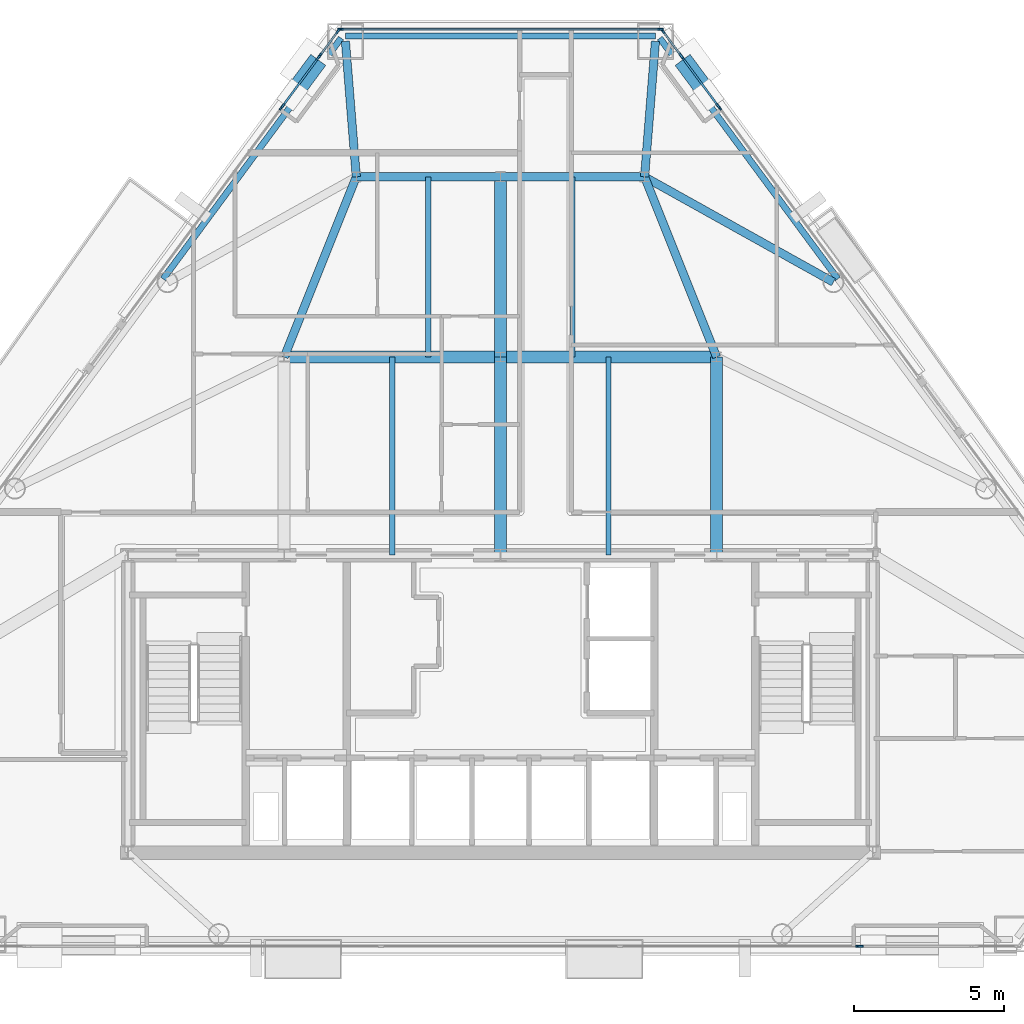
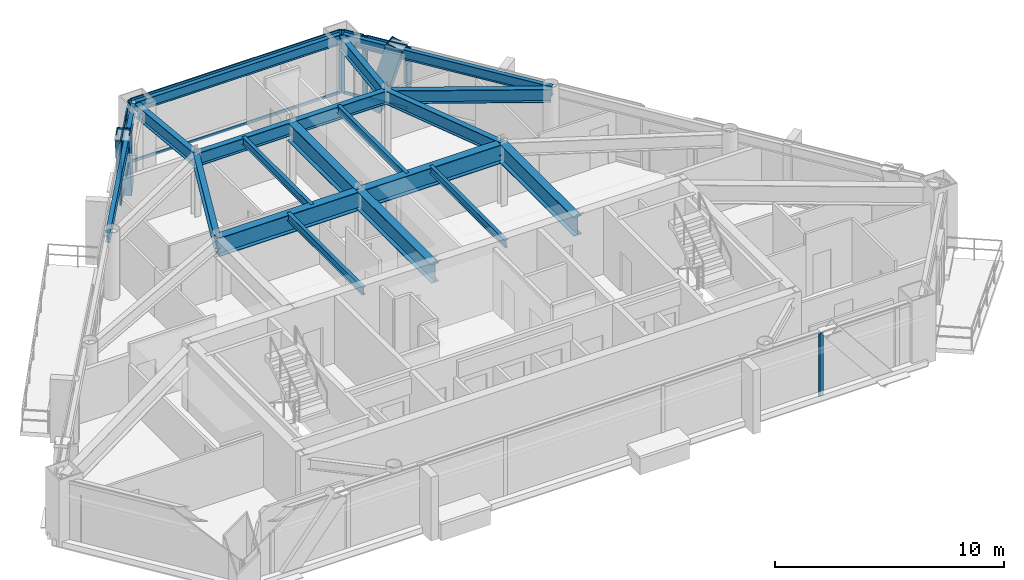
# One storey, part 5 of 13: 26 members, 19 beams, 9 elements without a shape of their own.
"""IFC4 building model written with IfcOpenShell, lengths in metres."""

from ifc_helpers import new_model, si_unit, direction, frame, origin, origin_2d, place, context, subcontext, project, spatial, rectangle, hollow_rectangle, i_section, extrude, material, layer, layer_set, material_profile, profile_set, type_object, element, aggregate, save


model = new_model("IFC4")

# Units and contexts
model_context = context("Model", 3, precision=1e-05, world=origin(), true_north=direction((0.0, 1.0)))
body_context = subcontext(model_context, "Body", "Model", "MODEL_VIEW")
ifc_project = project(units=[si_unit("LENGTHUNIT", "METRE"), si_unit("AREAUNIT", "SQUARE_METRE"), si_unit("VOLUMEUNIT", "CUBIC_METRE"), si_unit("PLANEANGLEUNIT", "RADIAN"), si_unit("MASSUNIT", "GRAM", prefix="KILO")], contexts=[model_context])

# Site, building, storey
site_placement = place(None, origin())
site = spatial("IfcSite", under=ifc_project, at=site_placement, CompositionType="ELEMENT")
building_placement = place(site_placement, origin())
building = spatial("IfcBuilding", under=site, at=building_placement, Name="Talgorran Terracotta Tower", CompositionType="ELEMENT")
storey_placement = place(building_placement, frame((0.0, 0.0, 132.89990234375)))
storey = spatial("IfcBuildingStorey", under=building, at=storey_placement, Name="L34", CompositionType="ELEMENT", Elevation=132.89990234375)

# Beams
ifc_material_1 = material(Name="Steel Grade 350 (350L0)", Category="steel")
ifc_material_profile_1 = material_profile(ifc_material_1, i_section(OverallWidth=0.39990234375, OverallDepth=1.0, WebThickness=0.01611328125, FlangeThickness=0.031005859375, at=origin_2d()), Name="1000WB296")
ifc_profile_set_1 = profile_set([ifc_material_profile_1], Name="Steel Grade 350 (350L0)")
beam_type_1 = type_object("IfcBeamType", Name="BM_1000WB296", PredefinedType="BEAM", material=ifc_profile_set_1)
for number, where, z_axis, x_axis, name in (
    (1, (0.0, -4.199951171875, 2.85009765625), (0.0, 1.0, 0.0), (-1.0, 0.0, 0.0), "L34 Floor Girder G02"),
    (2, (7.199951171875, -4.199951171875, 2.85009765625), (0.0, 1.0, 0.0), (-1.0, 0.0, 0.0), "L34 Floor Girder G03"),
):
    element("IfcBeam", number, at=place(storey_placement, frame(where, z_axis=z_axis, x_axis=x_axis)), inside=storey, type_object=beam_type_1, Name=name, PredefinedType="BEAM", context=body_context, shape_type="SweptSolid", body=[
        extrude(i_section(OverallWidth=0.39990234375, OverallDepth=1.0, WebThickness=0.01611328125, FlangeThickness=0.031005859375, at=origin_2d()), origin(), (0.0, 0.0, 1.0), 6.599853515625),
    ])
for number, where, z_axis, x_axis, name in (
    (3, (-7.199951171875, 2.39990234375, 2.85009765625), (1.0, 0.0, 0.0), (0.0, 1.0, 0.0), "L34 Floor Girder G04"),
    (4, (0.0, 2.39990234375, 2.85009765625), (1.0, 0.0, 0.0), (0.0, 1.0, 0.0), "L34 Floor Girder G05"),
):
    element("IfcBeam", number, at=place(storey_placement, frame(where, z_axis=z_axis, x_axis=x_axis)), inside=storey, type_object=beam_type_1, Name=name, PredefinedType="BEAM", context=body_context, shape_type="SweptSolid", body=[
        extrude(i_section(OverallWidth=0.39990234375, OverallDepth=1.0, WebThickness=0.01611328125, FlangeThickness=0.031005859375, at=origin_2d()), origin(), (0.0, 0.0, 1.0), 7.199951171875),
    ])
beam_1_placement = place(storey_placement, frame((0.0, 2.39990234375, 2.85009765625), z_axis=(0.0, 1.0, 0.0), x_axis=(-1.0, 0.0, 0.0)))
element("IfcBeam", 5, at=beam_1_placement, inside=storey, type_object=beam_type_1, Name="L34 Floor Girder G09", PredefinedType="BEAM", context=body_context, shape_type="SweptSolid", body=[
    extrude(i_section(OverallWidth=0.39990234375, OverallDepth=1.0, WebThickness=0.01611328125, FlangeThickness=0.031005859375, at=origin_2d()), origin(), (0.0, 0.0, 1.0), 6.0),
])
ifc_material_2 = material(Name="Steel S355 (300PLUS)", Category="steel")
ifc_material_profile_2 = material_profile(ifc_material_2, i_section(OverallWidth=0.27490234375, OverallDepth=0.7080078125, WebThickness=0.011962890625, FlangeThickness=0.02490234375, at=origin_2d()), Name="700WB173")
ifc_profile_set_2 = profile_set([ifc_material_profile_2], Name="Steel S355 (300PLUS)")
beam_type_2 = type_object("IfcBeamType", Name="BM_700WB173", PredefinedType="BEAM", material=ifc_profile_set_2)
for number, where, z_axis, x_axis, name in (
    (6, (-7.199951171875, 2.39990234375, 2.99609375), (0.371377648723, 0.928481901832, 0.0), (-0.928481901832, 0.371377648723, 0.0), "L34 Floor Girder G08"),
    (7, (7.199951171875, 2.39990234375, 2.99609375), (-0.371377648723, 0.928481901832, 0.0), (-0.928481901832, -0.371377648723, 0.0), "L34 Floor Girder G10"),
):
    element("IfcBeam", number, at=place(storey_placement, frame(where, z_axis=z_axis, x_axis=x_axis)), inside=storey, type_object=beam_type_2, Name=name, PredefinedType="BEAM", context=body_context, shape_type="SweptSolid", body=[
        extrude(i_section(OverallWidth=0.27490234375, OverallDepth=0.7080078125, WebThickness=0.011962890625, FlangeThickness=0.02490234375, at=origin_2d()), origin(), (0.0, 0.0, 1.0), 6.462158203125),
    ])
for number, where, z_axis, x_axis, name in (
    (8, (-4.800048828125, 8.39990234375, 2.99609375), (1.0, 0.0, 0.0), (0.0, 1.0, 0.0), "L34 Floor Girder G11"),
    (9, (0.0, 8.39990234375, 2.99609375), (1.0, 0.0, 0.0), (0.0, 1.0, 0.0), "L34 Floor Girder G12"),
):
    element("IfcBeam", number, at=place(storey_placement, frame(where, z_axis=z_axis, x_axis=x_axis)), inside=storey, type_object=beam_type_2, Name=name, PredefinedType="BEAM", context=body_context, shape_type="SweptSolid", body=[
        extrude(i_section(OverallWidth=0.27490234375, OverallDepth=0.7080078125, WebThickness=0.011962890625, FlangeThickness=0.02490234375, at=origin_2d()), origin(), (0.0, 0.0, 1.0), 4.800048828125),
    ])
beam_2_placement = place(storey_placement, frame((4.800048828125, 8.39990234375, 2.99609375), z_axis=(0.873422120385, -0.48696385864, 0.0), x_axis=(0.48696385864, 0.873422120385, 0.0)))
element("IfcBeam", 10, at=beam_2_placement, inside=storey, type_object=beam_type_2, Name="L34 Floor Girder G14", PredefinedType="BEAM", context=body_context, shape_type="SweptSolid", body=[
    extrude(i_section(OverallWidth=0.27490234375, OverallDepth=0.7080078125, WebThickness=0.011962890625, FlangeThickness=0.02490234375, at=origin_2d()), origin(), (0.0, 0.0, 1.0), 7.199951171875),
])
for number, where, z_axis, x_axis, name in (
    (11, (-4.800048828125, 8.39990234375, 2.99609375), (-0.079850226008, 0.996806872672, 0.0), (-0.996806872672, -0.079850226008, 0.0), "L34 Floor Girder G15"),
    (12, (4.800048828125, 8.39990234375, 2.99609375), (0.079850226008, 0.996806872672, 0.0), (-0.996806872672, 0.079850226008, 0.0), "L34 Floor Girder G16"),
):
    element("IfcBeam", number, at=place(storey_placement, frame(where, z_axis=z_axis, x_axis=x_axis)), inside=storey, type_object=beam_type_2, Name=name, PredefinedType="BEAM", context=body_context, shape_type="SweptSolid", body=[
        extrude(i_section(OverallWidth=0.27490234375, OverallDepth=0.7080078125, WebThickness=0.011962890625, FlangeThickness=0.02490234375, at=origin_2d()), origin(), (0.0, 0.0, 1.0), 4.528076171875),
    ])
ifc_material_profile_3 = material_profile(ifc_material_2, i_section(OverallWidth=0.177734375, OverallDepth=0.406494140625, WebThickness=0.0078125, FlangeThickness=0.0126953125, at=origin_2d()), Name="410UB59.7")
ifc_profile_set_3 = profile_set([ifc_material_profile_3], Name="Steel S355 (300PLUS)")
beam_type_3 = type_object("IfcBeamType", Name="BM_JS_410UB60", PredefinedType="JOIST", material=ifc_profile_set_3)
for number, where, z_axis, x_axis, name in (
    (13, (-3.60009765625, -4.199951171875, 3.14697265625), (0.0, 1.0, 0.0), (-1.0, 0.0, 0.0), "L34 Secondary Joist J01"),
    (14, (3.60009765625, -4.199951171875, 3.14697265625), (0.0, 1.0, 0.0), (-1.0, 0.0, 0.0), "L34 Secondary Joist J02"),
):
    element("IfcBeam", number, at=place(storey_placement, frame(where, z_axis=z_axis, x_axis=x_axis)), inside=storey, type_object=beam_type_3, Name=name, PredefinedType="JOIST", context=body_context, shape_type="SweptSolid", body=[
        extrude(i_section(OverallWidth=0.177734375, OverallDepth=0.406494140625, WebThickness=0.0078125, FlangeThickness=0.0126953125, at=origin_2d()), origin(), (0.0, 0.0, 1.0), 6.599853515625),
    ])
for number, where, z_axis, x_axis, name in (
    (15, (-2.39990234375, 2.39990234375, 3.14697265625), (0.0, 1.0, 0.0), (-1.0, 0.0, 0.0), "L34 Secondary Joist J03"),
    (16, (2.39990234375, 2.39990234375, 3.14697265625), (0.0, 1.0, 0.0), (-1.0, 0.0, 0.0), "L34 Secondary Joist J04"),
):
    element("IfcBeam", number, at=place(storey_placement, frame(where, z_axis=z_axis, x_axis=x_axis)), inside=storey, type_object=beam_type_3, Name=name, PredefinedType="JOIST", context=body_context, shape_type="SweptSolid", body=[
        extrude(i_section(OverallWidth=0.177734375, OverallDepth=0.406494140625, WebThickness=0.0078125, FlangeThickness=0.0126953125, at=origin_2d()), origin(), (0.0, 0.0, 1.0), 6.0),
    ])
ifc_material_profile_4 = material_profile(ifc_material_2, i_section(OverallWidth=0.209228515625, OverallDepth=0.532958984375, WebThickness=0.01025390625, FlangeThickness=0.015625, at=origin_2d()), Name="530UB92.4")
ifc_profile_set_4 = profile_set([ifc_material_profile_4], Name="Steel S355 (300PLUS)")
beam_type_4 = type_object("IfcBeamType", Name="BM_SP_530UB92", PredefinedType="SPANDREL", material=ifc_profile_set_4)
beam_3_placement = place(storey_placement, frame((11.2333984375, 5.000732421875, 3.08349609375), z_axis=(-0.594348381438, 0.80420768554, 0.0), x_axis=(-0.80420768554, -0.594348381438, 0.0)))
element("IfcBeam", 17, at=beam_3_placement, inside=storey, type_object=beam_type_4, Name="L34 Perimeter Spandrel Beam FC4-MC5", PredefinedType="SPANDREL", context=body_context, shape_type="SweptSolid", body=[
    extrude(i_section(OverallWidth=0.209228515625, OverallDepth=0.532958984375, WebThickness=0.01025390625, FlangeThickness=0.015625, at=origin_2d()), origin(), (0.0, 0.0, 1.0), 9.97216796875),
])
beam_4_placement = place(storey_placement, frame((5.16162109375, 13.093505859375, 3.08349609375), z_axis=(-1.0, 0.0, 0.0), x_axis=(0.0, -1.0, 0.0)))
element("IfcBeam", 18, at=beam_4_placement, inside=storey, type_object=beam_type_4, Name="L34 Perimeter Spandrel Beam MC5-MC6", PredefinedType="SPANDREL", context=body_context, shape_type="SweptSolid", body=[
    extrude(i_section(OverallWidth=0.209228515625, OverallDepth=0.532958984375, WebThickness=0.01025390625, FlangeThickness=0.015625, at=origin_2d()), origin(), (0.0, 0.0, 1.0), 10.3232421875),
])
beam_5_placement = place(storey_placement, frame((-5.306396484375, 13.0205078125, 3.08349609375), z_axis=(-0.594348381438, -0.80420768554, 0.0), x_axis=(0.80420768554, -0.594348381438, 0.0)))
element("IfcBeam", 19, at=beam_5_placement, inside=storey, type_object=beam_type_4, Name="L34 Perimeter Spandrel Beam MC6-FC5", PredefinedType="SPANDREL", context=body_context, shape_type="SweptSolid", body=[
    extrude(i_section(OverallWidth=0.209228515625, OverallDepth=0.532958984375, WebThickness=0.01025390625, FlangeThickness=0.015625, at=origin_2d()), origin(), (0.0, 0.0, 1.0), 9.97216796875),
])

# Members
ifc_material_profile_5 = material_profile(ifc_material_1, hollow_rectangle(XDim=0.6201171875, YDim=0.780029296875, WallThickness=0.0419921875, at=origin_2d()), Name="WBOX780X620X42")
ifc_profile_set_5 = profile_set([ifc_material_profile_5], Name="Steel Grade 350 (350L0)")
member_type_1 = type_object("IfcMemberType", Name="MB_MEGA_780", PredefinedType="BRACE", material=ifc_profile_set_5)
for number, where, z_axis, x_axis, name in (
    (20, (6.2890625, 11.993408203125, -0.27001953125), (0.167535480433, -0.226658089562, 0.959457124228), (0.804166664466, 0.594403882694, 0.0), "L34 Exterior Face Mega-Brace MB-2 (NEU)"),
    (21, (-6.2890625, 11.993408203125, -0.27001953125), (-0.167535480433, -0.226658089562, 0.959457124228), (0.804166664466, -0.594403882694, 0.0), "L34 Exterior Face Mega-Brace MB-2 (NWU)"),
):
    element("IfcMember", number, at=place(storey_placement, frame(where, z_axis=z_axis, x_axis=x_axis)), inside=storey, type_object=member_type_1, Name=name, PredefinedType="BRACE", context=body_context, shape_type="SweptSolid", body=[
        extrude(hollow_rectangle(XDim=0.6201171875, YDim=0.780029296875, WallThickness=0.0419921875, at=origin_2d()), origin(), (0.0, 0.0, 1.0), 3.799072265625),
    ])

# Curtain wall, member
ifc_material_3 = material(Name="Unitised Low-E Double Glazing", Category="glass")
ifc_layer = layer(ifc_material_3, 0.199951171875, Name="CW_SYS2_RES_LOW")
ifc_layer_set = layer_set([ifc_layer], Name="Unitised Low-E Double Glazing")
curtain_wall_type = type_object("IfcCurtainWallType", Name="CW_SYS2_RES_LOW", PredefinedType="NOTDEFINED", material=ifc_layer_set)
curtain_wall_1_placement = place(storey_placement, origin())
curtain_wall_1 = element("IfcCurtainWall", 22, at=curtain_wall_1_placement, inside=storey, type_object=curtain_wall_type, Name="CW-L34-F1C", PredefinedType="NOTDEFINED")
ifc_material_4 = material(Name="Architectural Aluminium 6063-T6", Category="aluminium")
ifc_material_profile_6 = material_profile(ifc_material_4, rectangle(XDim=0.06494140625, YDim=0.18505859375, at=origin_2d()), Name="CWM65X185")
ifc_profile_set_6 = profile_set([ifc_material_profile_6], Name="Architectural Aluminium 6063-T6")
member_type_2 = type_object("IfcMemberType", Name="MUL_65X185", PredefinedType="MULLION", material=ifc_profile_set_6)
member_1_placement = place(storey_placement, frame((11.920166015625, -17.218994140625, 0.0), z_axis=(0.0, 0.0, 1.0), x_axis=(0.0, 1.0, 0.0)))
member_1 = element("IfcMember", 23, at=member_1_placement, type_object=member_type_2, Name="CW-L34-1C mullion 4", PredefinedType="MULLION", context=body_context, shape_type="SweptSolid", body=[
    extrude(rectangle(XDim=0.06494140625, YDim=0.18505859375, at=origin_2d()), origin(), (0.0, 0.0, 1.0), 3.35009765625),
])
aggregate(curtain_wall_1, [member_1])

curtain_wall_2_placement = place(storey_placement, origin())
curtain_wall_2 = element("IfcCurtainWall", 24, at=curtain_wall_2_placement, inside=storey, type_object=curtain_wall_type, Name="CW-L34-F1D", PredefinedType="NOTDEFINED")
member_2_placement = place(storey_placement, frame((11.9951171875, -17.218994140625, 0.0), z_axis=(0.0, 0.0, 1.0), x_axis=(0.0, 1.0, 0.0)))
member_2 = element("IfcMember", 25, at=member_2_placement, type_object=member_type_2, Name="CW-L34-1D mullion 1", PredefinedType="MULLION", context=body_context, shape_type="SweptSolid", body=[
    extrude(rectangle(XDim=0.06494140625, YDim=0.18505859375, at=origin_2d()), origin(), (0.0, 0.0, 1.0), 3.35009765625),
])
aggregate(curtain_wall_2, [member_2])

curtain_wall_3_placement = place(storey_placement, origin())
curtain_wall_3 = element("IfcCurtainWall", 26, at=curtain_wall_3_placement, inside=storey, type_object=curtain_wall_type, Name="CW-L34-F41", PredefinedType="NOTDEFINED")
member_3_placement = place(storey_placement, frame((7.29150390625, 10.704345703125, 0.0), z_axis=(0.0, 0.0, 1.0), x_axis=(-0.804201194729, -0.594357163999, 0.0)))
member_3 = element("IfcMember", 27, at=member_3_placement, type_object=member_type_2, Name="CW-L34-41 mullion 2", PredefinedType="MULLION", context=body_context, shape_type="SweptSolid", body=[
    extrude(rectangle(XDim=0.06494140625, YDim=0.18505859375, at=origin_2d()), origin(), (0.0, 0.0, 1.0), 3.35009765625),
])
aggregate(curtain_wall_3, [member_3])

# Curtain wall, members
curtain_wall_4_placement = place(storey_placement, origin())
curtain_wall_4 = element("IfcCurtainWall", 28, at=curtain_wall_4_placement, inside=storey, type_object=curtain_wall_type, Name="CW-L34-F41B", PredefinedType="NOTDEFINED")
member_4_placement = place(storey_placement, frame((7.2470703125, 10.7646484375, 0.0), z_axis=(0.0, 0.0, 1.0), x_axis=(-0.804210403397, -0.594344703912, 0.0)))
member_4 = element("IfcMember", 29, at=member_4_placement, type_object=member_type_2, Name="CW-L34-41B mullion 1", PredefinedType="MULLION", context=body_context, shape_type="SweptSolid", body=[
    extrude(rectangle(XDim=0.06494140625, YDim=0.18505859375, at=origin_2d()), origin(), (0.0, 0.0, 1.0), 3.35009765625),
])
member_5_placement = place(storey_placement, frame((6.06005859375, 12.370849609375, 0.0), z_axis=(0.0, 0.0, 1.0), x_axis=(-0.804210403397, -0.594344703912, 0.0)))
member_5 = element("IfcMember", 30, at=member_5_placement, type_object=member_type_2, Name="CW-L34-41B mullion 2", PredefinedType="MULLION", context=body_context, shape_type="SweptSolid", body=[
    extrude(rectangle(XDim=0.06494140625, YDim=0.18505859375, at=origin_2d()), origin(), (0.0, 0.0, 1.0), 3.35009765625),
])

curtain_wall_5_placement = place(storey_placement, origin())
curtain_wall_5 = element("IfcCurtainWall", 31, at=curtain_wall_5_placement, inside=storey, type_object=curtain_wall_type, Name="CW-L34-F41C", PredefinedType="NOTDEFINED")
member_6_placement = place(storey_placement, frame((6.015380859375, 12.43115234375, 0.0), z_axis=(0.0, 0.0, 1.0), x_axis=(-0.804220007043, -0.594331708957, 0.0)))
member_6 = element("IfcMember", 32, at=member_6_placement, type_object=member_type_2, Name="CW-L34-41C mullion 1", PredefinedType="MULLION", context=body_context, shape_type="SweptSolid", body=[
    extrude(rectangle(XDim=0.06494140625, YDim=0.18505859375, at=origin_2d()), origin(), (0.0, 0.0, 1.0), 3.35009765625),
])
member_7_placement = place(storey_placement, frame((5.406494140625, 13.255126953125, 0.0), z_axis=(0.0, 0.0, 1.0), x_axis=(-0.804220007043, -0.594331708957, 0.0)))
member_7 = element("IfcMember", 33, at=member_7_placement, type_object=member_type_2, Name="CW-L34-41C mullion 2", PredefinedType="MULLION", context=body_context, shape_type="SweptSolid", body=[
    extrude(rectangle(XDim=0.06494140625, YDim=0.18505859375, at=origin_2d()), origin(), (0.0, 0.0, 1.0), 3.35009765625),
])

curtain_wall_6_placement = place(storey_placement, origin())
curtain_wall_6 = element("IfcCurtainWall", 34, at=curtain_wall_6_placement, inside=storey, type_object=curtain_wall_type, Name="CW-L34-F4", PredefinedType="NOTDEFINED")
member_8_placement = place(storey_placement, frame((5.330810546875, 13.3134765625, 0.0), z_axis=(0.0, 0.0, 1.0), x_axis=(0.0, -1.0, 0.0)))
member_8 = element("IfcMember", 35, at=member_8_placement, type_object=member_type_2, Name="CW-L34-4 mullion 1", PredefinedType="MULLION", context=body_context, shape_type="SweptSolid", body=[
    extrude(rectangle(XDim=0.06494140625, YDim=0.18505859375, at=origin_2d()), origin(), (0.0, 0.0, 1.0), 3.35009765625),
])
member_9_placement = place(storey_placement, frame((-5.330810546875, 13.3134765625, 0.0), z_axis=(0.0, 0.0, 1.0), x_axis=(0.0, -1.0, 0.0)))
member_9 = element("IfcMember", 36, at=member_9_placement, type_object=member_type_2, Name="CW-L34-4 mullion 2", PredefinedType="MULLION", context=body_context, shape_type="SweptSolid", body=[
    extrude(rectangle(XDim=0.06494140625, YDim=0.18505859375, at=origin_2d()), origin(), (0.0, 0.0, 1.0), 3.35009765625),
])

curtain_wall_7_placement = place(storey_placement, origin())
curtain_wall_7 = element("IfcCurtainWall", 37, at=curtain_wall_7_placement, inside=storey, type_object=curtain_wall_type, Name="CW-L34-F60", PredefinedType="NOTDEFINED")
member_10_placement = place(storey_placement, frame((-5.406494140625, 13.255126953125, 0.0), z_axis=(0.0, 0.0, 1.0), x_axis=(0.804220007043, -0.594331708957, 0.0)))
member_10 = element("IfcMember", 38, at=member_10_placement, type_object=member_type_2, Name="CW-L34-60 mullion 1", PredefinedType="MULLION", context=body_context, shape_type="SweptSolid", body=[
    extrude(rectangle(XDim=0.06494140625, YDim=0.18505859375, at=origin_2d()), origin(), (0.0, 0.0, 1.0), 3.35009765625),
])
member_11_placement = place(storey_placement, frame((-6.015380859375, 12.43115234375, 0.0), z_axis=(0.0, 0.0, 1.0), x_axis=(0.804220007043, -0.594331708957, 0.0)))
member_11 = element("IfcMember", 39, at=member_11_placement, type_object=member_type_2, Name="CW-L34-60 mullion 2", PredefinedType="MULLION", context=body_context, shape_type="SweptSolid", body=[
    extrude(rectangle(XDim=0.06494140625, YDim=0.18505859375, at=origin_2d()), origin(), (0.0, 0.0, 1.0), 3.35009765625),
])

curtain_wall_8_placement = place(storey_placement, origin())
curtain_wall_8 = element("IfcCurtainWall", 40, at=curtain_wall_8_placement, inside=storey, type_object=curtain_wall_type, Name="CW-L34-F60B", PredefinedType="NOTDEFINED")
member_12_placement = place(storey_placement, frame((-6.06005859375, 12.370849609375, 0.0), z_axis=(0.0, 0.0, 1.0), x_axis=(0.804210403397, -0.594344703912, 0.0)))
member_12 = element("IfcMember", 41, at=member_12_placement, type_object=member_type_2, Name="CW-L34-60B mullion 1", PredefinedType="MULLION", context=body_context, shape_type="SweptSolid", body=[
    extrude(rectangle(XDim=0.06494140625, YDim=0.18505859375, at=origin_2d()), origin(), (0.0, 0.0, 1.0), 3.35009765625),
])
member_13_placement = place(storey_placement, frame((-7.2470703125, 10.7646484375, 0.0), z_axis=(0.0, 0.0, 1.0), x_axis=(0.804210403397, -0.594344703912, 0.0)))
member_13 = element("IfcMember", 42, at=member_13_placement, type_object=member_type_2, Name="CW-L34-60B mullion 2", PredefinedType="MULLION", context=body_context, shape_type="SweptSolid", body=[
    extrude(rectangle(XDim=0.06494140625, YDim=0.18505859375, at=origin_2d()), origin(), (0.0, 0.0, 1.0), 3.35009765625),
])

# Curtain wall, member
curtain_wall_9_placement = place(storey_placement, origin())
curtain_wall_9 = element("IfcCurtainWall", 43, at=curtain_wall_9_placement, inside=storey, type_object=curtain_wall_type, Name="CW-L34-F60C", PredefinedType="NOTDEFINED")
member_14_placement = place(storey_placement, frame((-7.29150390625, 10.704345703125, 0.0), z_axis=(0.0, 0.0, 1.0), x_axis=(0.804199416305, -0.594359570307, 0.0)))
member_14 = element("IfcMember", 44, at=member_14_placement, type_object=member_type_2, Name="CW-L34-60C mullion 1", PredefinedType="MULLION", context=body_context, shape_type="SweptSolid", body=[
    extrude(rectangle(XDim=0.06494140625, YDim=0.18505859375, at=origin_2d()), origin(), (0.0, 0.0, 1.0), 3.35009765625),
])
aggregate(curtain_wall_9, [member_14])

# Member
ifc_material_profile_7 = material_profile(ifc_material_4, rectangle(XDim=0.06494140625, YDim=0.14990234375, at=origin_2d()), Name="CWT65X150")
ifc_profile_set_7 = profile_set([ifc_material_profile_7], Name="Architectural Aluminium 6063-T6")
member_type_3 = type_object("IfcMemberType", Name="TRN_65X150", PredefinedType="USERDEFINED", material=ifc_profile_set_7)
member_15_placement = place(storey_placement, frame((7.227783203125, 10.790771484375, 0.03271484375), z_axis=(-0.594344876364, 0.804210275948, 0.0), x_axis=(-0.804210275948, -0.594344876364, 0.0)))
member_15 = element("IfcMember", 45, at=member_15_placement, type_object=member_type_3, Name="CW-L34-41B transom 1.1", ObjectType="TRANSOM", PredefinedType="USERDEFINED", context=body_context, shape_type="SweptSolid", body=[
    extrude(rectangle(XDim=0.06494140625, YDim=0.14990234375, at=origin_2d()), origin(), (0.0, 0.0, 1.0), 1.932373046875),
])

member_16_placement = place(storey_placement, frame((7.227783203125, 10.790771484375, 3.317626953125), z_axis=(-0.594344876364, 0.804210275948, 0.0), x_axis=(-0.804210275948, -0.594344876364, 0.0)))
member_16 = element("IfcMember", 46, at=member_16_placement, type_object=member_type_3, Name="CW-L34-41B transom 1.2", ObjectType="TRANSOM", PredefinedType="USERDEFINED", context=body_context, shape_type="SweptSolid", body=[
    extrude(rectangle(XDim=0.06494140625, YDim=0.14990234375, at=origin_2d()), origin(), (0.0, 0.0, 1.0), 1.932373046875),
])

aggregate(curtain_wall_4, [member_4, member_5, member_15, member_16])

member_17_placement = place(storey_placement, frame((5.99609375, 12.457275390625, 0.03271484375), z_axis=(-0.594326676443, 0.804223726129, 0.0), x_axis=(-0.804223726129, -0.594326676443, 0.0)))
member_17 = element("IfcMember", 47, at=member_17_placement, type_object=member_type_3, Name="CW-L34-41C transom 1.1", ObjectType="TRANSOM", PredefinedType="USERDEFINED", context=body_context, shape_type="SweptSolid", body=[
    extrude(rectangle(XDim=0.06494140625, YDim=0.14990234375, at=origin_2d()), origin(), (0.0, 0.0, 1.0), 0.95947265625),
])

member_18_placement = place(storey_placement, frame((5.99609375, 12.457275390625, 3.317626953125), z_axis=(-0.594326676443, 0.804223726129, 0.0), x_axis=(-0.804223726129, -0.594326676443, 0.0)))
member_18 = element("IfcMember", 48, at=member_18_placement, type_object=member_type_3, Name="CW-L34-41C transom 1.2", ObjectType="TRANSOM", PredefinedType="USERDEFINED", context=body_context, shape_type="SweptSolid", body=[
    extrude(rectangle(XDim=0.06494140625, YDim=0.14990234375, at=origin_2d()), origin(), (0.0, 0.0, 1.0), 0.95947265625),
])

aggregate(curtain_wall_5, [member_6, member_7, member_17, member_18])

member_19_placement = place(storey_placement, frame((5.29833984375, 13.3134765625, 0.03271484375), z_axis=(-1.0, 0.0, 0.0), x_axis=(0.0, -1.0, 0.0)))
member_19 = element("IfcMember", 49, at=member_19_placement, type_object=member_type_3, Name="CW-L34-4 transom 1.1", ObjectType="TRANSOM", PredefinedType="USERDEFINED", context=body_context, shape_type="SweptSolid", body=[
    extrude(rectangle(XDim=0.06494140625, YDim=0.14990234375, at=origin_2d()), origin(), (0.0, 0.0, 1.0), 10.5966796875),
])

member_20_placement = place(storey_placement, frame((5.29833984375, 13.3134765625, 3.317626953125), z_axis=(-1.0, 0.0, 0.0), x_axis=(0.0, -1.0, 0.0)))
member_20 = element("IfcMember", 50, at=member_20_placement, type_object=member_type_3, Name="CW-L34-4 transom 1.2", ObjectType="TRANSOM", PredefinedType="USERDEFINED", context=body_context, shape_type="SweptSolid", body=[
    extrude(rectangle(XDim=0.06494140625, YDim=0.14990234375, at=origin_2d()), origin(), (0.0, 0.0, 1.0), 10.5966796875),
])

aggregate(curtain_wall_6, [member_8, member_9, member_19, member_20])

member_21_placement = place(storey_placement, frame((-5.42578125, 13.22900390625, 0.03271484375), z_axis=(-0.594326676443, -0.804223726129, 0.0), x_axis=(0.804223726129, -0.594326676443, 0.0)))
member_21 = element("IfcMember", 51, at=member_21_placement, type_object=member_type_3, Name="CW-L34-60 transom 1.1", ObjectType="TRANSOM", PredefinedType="USERDEFINED", context=body_context, shape_type="SweptSolid", body=[
    extrude(rectangle(XDim=0.06494140625, YDim=0.14990234375, at=origin_2d()), origin(), (0.0, 0.0, 1.0), 0.95947265625),
])

member_22_placement = place(storey_placement, frame((-5.42578125, 13.22900390625, 3.317626953125), z_axis=(-0.594326676443, -0.804223726129, 0.0), x_axis=(0.804223726129, -0.594326676443, 0.0)))
member_22 = element("IfcMember", 52, at=member_22_placement, type_object=member_type_3, Name="CW-L34-60 transom 1.2", ObjectType="TRANSOM", PredefinedType="USERDEFINED", context=body_context, shape_type="SweptSolid", body=[
    extrude(rectangle(XDim=0.06494140625, YDim=0.14990234375, at=origin_2d()), origin(), (0.0, 0.0, 1.0), 0.95947265625),
])

aggregate(curtain_wall_7, [member_10, member_11, member_21, member_22])

member_23_placement = place(storey_placement, frame((-6.079345703125, 12.3447265625, 0.03271484375), z_axis=(-0.594344876364, -0.804210275948, 0.0), x_axis=(0.804210275948, -0.594344876364, 0.0)))
member_23 = element("IfcMember", 53, at=member_23_placement, type_object=member_type_3, Name="CW-L34-60B transom 1.1", ObjectType="TRANSOM", PredefinedType="USERDEFINED", context=body_context, shape_type="SweptSolid", body=[
    extrude(rectangle(XDim=0.06494140625, YDim=0.14990234375, at=origin_2d()), origin(), (0.0, 0.0, 1.0), 1.932373046875),
])

member_24_placement = place(storey_placement, frame((-6.079345703125, 12.3447265625, 3.317626953125), z_axis=(-0.594344876364, -0.804210275948, 0.0), x_axis=(0.804210275948, -0.594344876364, 0.0)))
member_24 = element("IfcMember", 54, at=member_24_placement, type_object=member_type_3, Name="CW-L34-60B transom 1.2", ObjectType="TRANSOM", PredefinedType="USERDEFINED", context=body_context, shape_type="SweptSolid", body=[
    extrude(rectangle(XDim=0.06494140625, YDim=0.14990234375, at=origin_2d()), origin(), (0.0, 0.0, 1.0), 1.932373046875),
])

aggregate(curtain_wall_8, [member_12, member_13, member_23, member_24])

save(model, "model.ifc")
